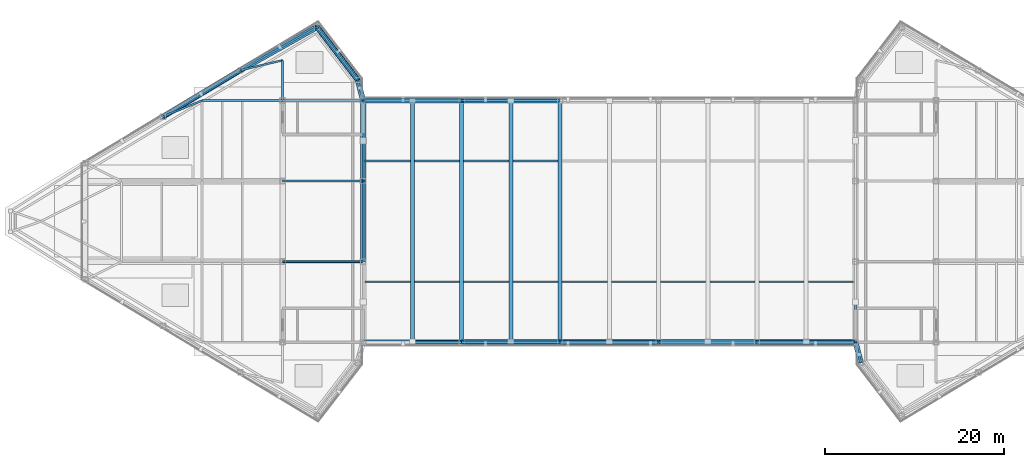
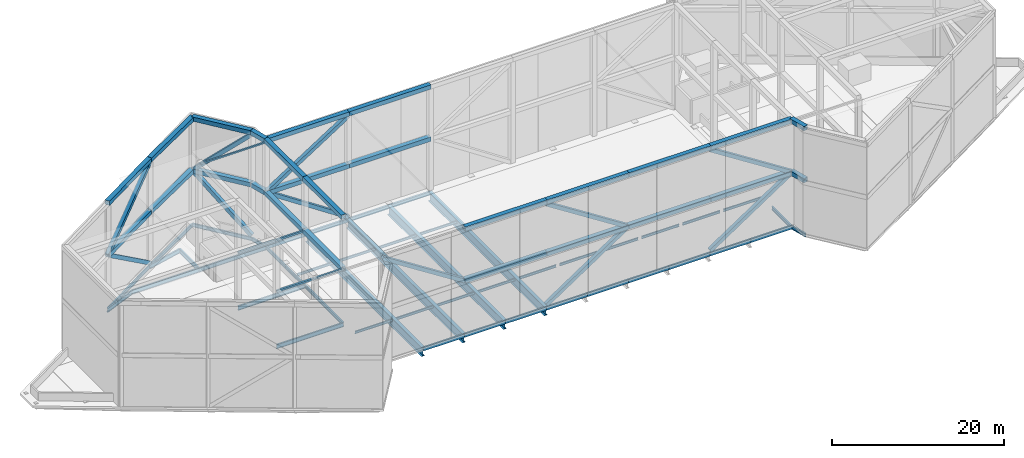
# One storey, part 4 of 16: 73 beams, 15 members.
"""IFC4 building model written with IfcOpenShell, lengths in metres."""

from ifc_helpers import new_model, si_unit, direction, frame, origin, origin_2d, place, context, subcontext, project, spatial, hollow_rectangle, i_section, extrude, source, transform, mapped, material, material_profile, profile_set, type_object, type_shapes, element, save


model = new_model("IFC4")

# Units and contexts
model_context = context("Model", 3, precision=1e-05, world=origin(), true_north=direction((0.0, 1.0)))
body_context = subcontext(model_context, "Body", "Model", "MODEL_VIEW")
ifc_project = project(units=[si_unit("LENGTHUNIT", "METRE"), si_unit("AREAUNIT", "SQUARE_METRE"), si_unit("VOLUMEUNIT", "CUBIC_METRE"), si_unit("PLANEANGLEUNIT", "RADIAN"), si_unit("MASSUNIT", "GRAM", prefix="KILO")], contexts=[model_context])

# Site, building, storey
site_placement = place(None, origin())
site = spatial("IfcSite", under=ifc_project, at=site_placement, CompositionType="ELEMENT")
building_placement = place(site_placement, origin())
building = spatial("IfcBuilding", under=site, at=building_placement, Name="Seokmaru Belvedere", CompositionType="ELEMENT")
storey_placement = place(building_placement, frame((0.0, 0.0, 279.0)))
storey = spatial("IfcBuildingStorey", under=building, at=storey_placement, Name="RF", CompositionType="ELEMENT", Elevation=279.0)

# Beams
ifc_material_1 = material(Name="Steel SM355 (355 MPa)", Category="steel")
ifc_material_profile_1 = material_profile(ifc_material_1, i_section(OverallWidth=0.199951171875, OverallDepth=0.5, WebThickness=0.010009765625, FlangeThickness=0.01611328125, at=origin_2d()), Name="H-500x200x10x16")
ifc_profile_set_1 = profile_set([ifc_material_profile_1], Name="Steel SM355 (355 MPa)")
beam_type_1 = type_object("IfcBeamType", Name="Perimeter Spandrel Beam H-500", PredefinedType="SPANDREL", material=ifc_profile_set_1)
shared_shape_1 = source(origin(), body_context, "Body", "SweptSolid", [
    extrude(i_section(OverallWidth=0.199951171875, OverallDepth=0.5, WebThickness=0.010009765625, FlangeThickness=0.01611328125, at=origin_2d()), origin(), (0.0, 0.0, 1.0), 4.5),
])
for number, where, z_axis, x_axis, name in (
    (1, (-27.5, 4.5, -0.530029296875), (0.0, 1.0, 0.0), (-1.0, 0.0, 0.0), "RF W Portal Spine Spandrel 4"),
    (2, (-27.5, 9.0, -0.530029296875), (0.0, 1.0, 0.0), (-1.0, 0.0, 0.0), "RF W Portal Spine Spandrel 5"),
    (3, (27.5, -13.5, -0.530029296875), (0.0, 1.0, 0.0), (-1.0, 0.0, 0.0), "RF E Portal Spine Spandrel 1"),
):
    element("IfcBeam", number, at=place(storey_placement, frame(where, z_axis=z_axis, x_axis=x_axis)), inside=storey, type_object=beam_type_1, Name=name, PredefinedType="SPANDREL", context=body_context, shape_type="MappedRepresentation", body=[
        mapped(shared_shape_1, transform((0.0, 0.0, 0.0), scale=1.0)),
    ])
shared_shape_2 = source(origin(), body_context, "Body", "SweptSolid", [
    extrude(i_section(OverallWidth=0.199951171875, OverallDepth=0.5, WebThickness=0.010009765625, FlangeThickness=0.01611328125, at=origin_2d()), origin(), (0.0, 0.0, 1.0), 9.0),
])
beam_1_placement = place(storey_placement, frame((-27.5, -4.5, -0.530029296875), z_axis=(0.0, 1.0, 0.0), x_axis=(-1.0, 0.0, 0.0)))
element("IfcBeam", 4, at=beam_1_placement, inside=storey, type_object=beam_type_1, Name="RF W Portal Spine Spandrel 3", PredefinedType="SPANDREL", context=body_context, shape_type="MappedRepresentation", body=[
    mapped(shared_shape_2, transform((0.0, 0.0, 0.0), scale=1.0)),
])
ifc_material_profile_2 = material_profile(ifc_material_1, i_section(OverallWidth=0.199951171875, OverallDepth=0.60009765625, WebThickness=0.010986328125, FlangeThickness=0.01708984375, at=origin_2d()), Name="H-600x200x11x17")
ifc_profile_set_2 = profile_set([ifc_material_profile_2], Name="Steel SM355 (355 MPa)")
beam_type_2 = type_object("IfcBeamType", Name="Primary Floor Girder H-600", PredefinedType="BEAM", material=ifc_profile_set_2)
shared_shape_3 = source(origin(), body_context, "Body", "SweptSolid", [
    extrude(i_section(OverallWidth=0.199951171875, OverallDepth=0.60009765625, WebThickness=0.010986328125, FlangeThickness=0.01708984375, at=origin_2d()), origin(), (0.0, 0.0, 1.0), 9.0),
])
for number, where, z_axis, x_axis, name in (
    (5, (-36.5, -4.5, -0.580078125), (1.0, 0.0, 0.0), (0.0, 1.0, 0.0), "RF W Core Tie Girder 2"),
    (6, (-36.5, 4.5, -0.580078125), (1.0, 0.0, 0.0), (0.0, 1.0, 0.0), "RF W Core Tie Girder 3"),
    (7, (-36.5, 13.5, -0.580078125), (1.0, 0.0, 0.0), (0.0, 1.0, 0.0), "RF W Core Tie Girder 4"),
    (8, (-45.5, 13.5, -0.580078125), (1.0, 0.0, 0.0), (0.0, 1.0, 0.0), "RF W Wing Primary Girder 4"),
):
    element("IfcBeam", number, at=place(storey_placement, frame(where, z_axis=z_axis, x_axis=x_axis)), inside=storey, type_object=beam_type_2, Name=name, PredefinedType="BEAM", context=body_context, shape_type="MappedRepresentation", body=[
        mapped(shared_shape_3, transform((0.0, 0.0, 0.0), scale=1.0)),
    ])
shared_shape_4 = source(origin(), body_context, "Body", "SweptSolid", [
    extrude(i_section(OverallWidth=0.199951171875, OverallDepth=0.60009765625, WebThickness=0.010986328125, FlangeThickness=0.01708984375, at=origin_2d()), origin(), (0.0, 0.0, 1.0), 4.5),
])
beam_2_placement = place(storey_placement, frame((-36.5, 13.5, -0.580078125), z_axis=(0.0, 1.0, 0.0), x_axis=(-1.0, 0.0, 0.0)))
element("IfcBeam", 9, at=beam_2_placement, inside=storey, type_object=beam_type_2, Name="RF W Core Shoulder Girder N", PredefinedType="BEAM", context=body_context, shape_type="MappedRepresentation", body=[
    mapped(shared_shape_4, transform((0.0, 0.0, 0.0), scale=1.0)),
])
shared_shape_5 = source(origin(), body_context, "Body", "SweptSolid", [
    extrude(i_section(OverallWidth=0.199951171875, OverallDepth=0.5, WebThickness=0.010009765625, FlangeThickness=0.01611328125, at=origin_2d()), origin(), (0.0, 0.0, 1.0), 9.842041015625),
])
beam_3_placement = place(storey_placement, frame((-32.649658203125, 21.71044921875, -0.530029296875), z_axis=(-0.871782151818, -0.489893743349, 0.0), x_axis=(0.489893743349, -0.871782151818, 0.0)))
element("IfcBeam", 10, at=beam_3_placement, inside=storey, type_object=beam_type_1, Name="RF W Faceted Flank Spandrel N-1", PredefinedType="SPANDREL", context=body_context, shape_type="MappedRepresentation", body=[
    mapped(shared_shape_5, transform((0.0, 0.0, 0.0), scale=1.0)),
])
shared_shape_6 = source(origin(), body_context, "Body", "SweptSolid", [
    extrude(i_section(OverallWidth=0.199951171875, OverallDepth=0.5, WebThickness=0.010009765625, FlangeThickness=0.01611328125, at=origin_2d()), origin(), (0.0, 0.0, 1.0), 10.087646484375),
])
beam_4_placement = place(storey_placement, frame((-41.229736328125, 16.888916015625, -0.530029296875), z_axis=(-0.857499332045, -0.514485078056, 0.0), x_axis=(0.514485078056, -0.857499332045, 0.0)))
element("IfcBeam", 11, at=beam_4_placement, inside=storey, type_object=beam_type_1, Name="RF W Faceted Flank Spandrel N-2", PredefinedType="SPANDREL", context=body_context, shape_type="MappedRepresentation", body=[
    mapped(shared_shape_6, transform((0.0, 0.0, 0.0), scale=1.0)),
])
shared_shape_7 = source(origin(), body_context, "Body", "SweptSolid", [
    extrude(i_section(OverallWidth=0.199951171875, OverallDepth=0.5, WebThickness=0.010009765625, FlangeThickness=0.01611328125, at=origin_2d()), origin(), (0.0, 0.0, 1.0), 7.4619140625),
])
beam_5_placement = place(storey_placement, frame((-32.649658203125, 21.71044921875, -0.530029296875), z_axis=(0.609702854945, -0.792630070507, 0.0), x_axis=(0.792630070507, 0.609702854945, 0.0)))
element("IfcBeam", 12, at=beam_5_placement, inside=storey, type_object=beam_type_1, Name="RF W Shoulder Chamfer Spandrel N", PredefinedType="SPANDREL", context=body_context, shape_type="MappedRepresentation", body=[
    mapped(shared_shape_7, transform((0.0, 0.0, 0.0), scale=1.0)),
])
shared_shape_8 = source(origin(), body_context, "Body", "SweptSolid", [
    extrude(i_section(OverallWidth=0.199951171875, OverallDepth=0.5, WebThickness=0.010009765625, FlangeThickness=0.01611328125, at=origin_2d()), origin(), (0.0, 0.0, 1.0), 2.373046875),
])
type_shapes(beam_type_1, [shared_shape_1, shared_shape_2, shared_shape_5, shared_shape_6, shared_shape_7, shared_shape_8])
for number, where, z_axis, x_axis, name in (
    (13, (-28.10009765625, 15.7958984375, -0.530029296875), (0.252882558842, -0.967496982648, 0.0), (0.967496982648, 0.252882558842, 0.0), "RF W Shoulder Spine Spandrel N"),
    (14, (28.10009765625, -15.7958984375, -0.530029296875), (-0.252882558842, 0.967496982648, 0.0), (-0.967496982648, -0.252882558842, 0.0), "RF E Shoulder Spine Spandrel S"),
):
    element("IfcBeam", number, at=place(storey_placement, frame(where, z_axis=z_axis, x_axis=x_axis)), inside=storey, type_object=beam_type_1, Name=name, PredefinedType="SPANDREL", context=body_context, shape_type="MappedRepresentation", body=[
        mapped(shared_shape_8, transform((0.0, 0.0, 0.0), scale=1.0)),
    ])
shared_shape_9 = source(origin(), body_context, "Body", "SweptSolid", [
    extrude(i_section(OverallWidth=0.199951171875, OverallDepth=0.60009765625, WebThickness=0.010986328125, FlangeThickness=0.01708984375, at=origin_2d()), origin(), (0.0, 0.0, 1.0), 4.8583984375),
])
beam_6_placement = place(storey_placement, frame((-41.229736328125, 16.888916015625, -0.580078125), z_axis=(0.97349948295, 0.228689214211, 0.0), x_axis=(-0.228689214211, 0.97349948295, 0.0)))
element("IfcBeam", 15, at=beam_6_placement, inside=storey, type_object=beam_type_2, Name="RF W Flank Radial Floor Girder N-1", PredefinedType="BEAM", context=body_context, shape_type="MappedRepresentation", body=[
    mapped(shared_shape_9, transform((0.0, 0.0, 0.0), scale=1.0)),
])
shared_shape_10 = source(origin(), body_context, "Body", "SweptSolid", [
    extrude(i_section(OverallWidth=0.199951171875, OverallDepth=0.60009765625, WebThickness=0.010986328125, FlangeThickness=0.01708984375, at=origin_2d()), origin(), (0.0, 0.0, 1.0), 4.73583984375),
])
type_shapes(beam_type_2, [shared_shape_3, shared_shape_4, shared_shape_9, shared_shape_10])
beam_7_placement = place(storey_placement, frame((-49.8798828125, 11.698974609375, -0.580078125), z_axis=(0.924860562953, 0.380306375301, 0.0), x_axis=(-0.380306375301, 0.924860562953, 0.0)))
element("IfcBeam", 16, at=beam_7_placement, inside=storey, type_object=beam_type_2, Name="RF W Flank Radial Floor Girder N-2", PredefinedType="BEAM", context=body_context, shape_type="MappedRepresentation", body=[
    mapped(shared_shape_10, transform((0.0, 0.0, 0.0), scale=1.0)),
])
ifc_material_profile_3 = material_profile(ifc_material_1, hollow_rectangle(XDim=0.25, YDim=0.5, WallThickness=0.013916015625, at=origin_2d()), Name="RHS-500x250x14")
ifc_profile_set_3 = profile_set([ifc_material_profile_3], Name="Steel SM355 (355 MPa)")
beam_type_3 = type_object("IfcBeamType", Name="Bridge Edge Spandrel RHS-500", PredefinedType="SPANDREL", material=ifc_profile_set_3)
shared_shape_11 = source(origin(), body_context, "Body", "SweptSolid", [
    extrude(hollow_rectangle(XDim=0.25, YDim=0.5, WallThickness=0.013916015625, at=origin_2d()), origin(), (0.0, 0.0, 1.0), 5.5),
])
type_shapes(beam_type_3, [shared_shape_11])
for number, where, z_axis, x_axis, name in (
    (17, (-22.0, -13.5, -0.530029296875), (1.0, 0.0, 0.0), (0.0, 1.0, 0.0), "RF Sky-Gate Bridge Edge Girder S-02"),
    (18, (-16.5, -13.5, -0.530029296875), (1.0, 0.0, 0.0), (0.0, 1.0, 0.0), "RF Sky-Gate Bridge Edge Girder S-03"),
    (19, (-11.0, -13.5, -0.530029296875), (1.0, 0.0, 0.0), (0.0, 1.0, 0.0), "RF Sky-Gate Bridge Edge Girder S-04"),
    (20, (-5.5, -13.5, -0.530029296875), (1.0, 0.0, 0.0), (0.0, 1.0, 0.0), "RF Sky-Gate Bridge Edge Girder S-05"),
    (21, (0.0, -13.5, -0.530029296875), (1.0, 0.0, 0.0), (0.0, 1.0, 0.0), "RF Sky-Gate Bridge Edge Girder S-06"),
    (22, (5.5, -13.5, -0.530029296875), (1.0, 0.0, 0.0), (0.0, 1.0, 0.0), "RF Sky-Gate Bridge Edge Girder S-07"),
    (23, (11.0, -13.5, -0.530029296875), (1.0, 0.0, 0.0), (0.0, 1.0, 0.0), "RF Sky-Gate Bridge Edge Girder S-08"),
    (24, (16.5, -13.5, -0.530029296875), (1.0, 0.0, 0.0), (0.0, 1.0, 0.0), "RF Sky-Gate Bridge Edge Girder S-09"),
    (25, (22.0, -13.5, -0.530029296875), (1.0, 0.0, 0.0), (0.0, 1.0, 0.0), "RF Sky-Gate Bridge Edge Girder S-10"),
    (26, (-27.5, 13.5, -0.530029296875), (1.0, 0.0, 0.0), (0.0, 1.0, 0.0), "RF Sky-Gate Bridge Edge Girder N-01"),
    (27, (-22.0, 13.5, -0.530029296875), (1.0, 0.0, 0.0), (0.0, 1.0, 0.0), "RF Sky-Gate Bridge Edge Girder N-02"),
    (28, (-16.5, 13.5, -0.530029296875), (1.0, 0.0, 0.0), (0.0, 1.0, 0.0), "RF Sky-Gate Bridge Edge Girder N-03"),
    (29, (-11.0, 13.5, -0.530029296875), (1.0, 0.0, 0.0), (0.0, 1.0, 0.0), "RF Sky-Gate Bridge Edge Girder N-04"),
):
    element("IfcBeam", number, at=place(storey_placement, frame(where, z_axis=z_axis, x_axis=x_axis)), inside=storey, type_object=beam_type_3, Name=name, PredefinedType="SPANDREL", context=body_context, shape_type="MappedRepresentation", body=[
        mapped(shared_shape_11, transform((0.0, 0.0, 0.0), scale=1.0)),
    ])
ifc_material_2 = material(Name="Steel HSA650 (650 MPa)", Category="steel")
ifc_material_profile_4 = material_profile(ifc_material_2, i_section(OverallWidth=0.449951171875, OverallDepth=1.300048828125, WebThickness=0.02197265625, FlangeThickness=0.0380859375, at=origin_2d()), Name="BH-1300x450x22x38")
ifc_profile_set_4 = profile_set([ifc_material_profile_4], Name="Steel HSA650 (650 MPa)")
beam_type_4 = type_object("IfcBeamType", Name="Observatory Long-Span Roof Girder BH-1300", PredefinedType="BEAM", material=ifc_profile_set_4)
shared_shape_12 = source(origin(), body_context, "Body", "SweptSolid", [
    extrude(i_section(OverallWidth=0.449951171875, OverallDepth=1.300048828125, WebThickness=0.02197265625, FlangeThickness=0.0380859375, at=origin_2d()), origin(), (0.0, 0.0, 1.0), 27.0),
])
type_shapes(beam_type_4, [shared_shape_12])
for number, where, z_axis, x_axis, name in (
    (30, (-22.0, -13.5, -0.929931640625), (0.0, 1.0, 0.0), (-1.0, 0.0, 0.0), "RF Sky-Gate Transverse Girder 01"),
    (31, (-16.5, -13.5, -0.929931640625), (0.0, 1.0, 0.0), (-1.0, 0.0, 0.0), "RF Sky-Gate Transverse Girder 02"),
    (32, (-11.0, -13.5, -0.929931640625), (0.0, 1.0, 0.0), (-1.0, 0.0, 0.0), "RF Sky-Gate Transverse Girder 03"),
    (33, (-5.5, -13.5, -0.929931640625), (0.0, 1.0, 0.0), (-1.0, 0.0, 0.0), "RF Sky-Gate Transverse Girder 04"),
):
    element("IfcBeam", number, at=place(storey_placement, frame(where, z_axis=z_axis, x_axis=x_axis)), inside=storey, type_object=beam_type_4, Name=name, PredefinedType="BEAM", context=body_context, shape_type="MappedRepresentation", body=[
        mapped(shared_shape_12, transform((0.0, 0.0, 0.0), scale=1.0)),
    ])
ifc_material_profile_5 = material_profile(ifc_material_1, i_section(OverallWidth=0.175048828125, OverallDepth=0.35009765625, WebThickness=0.007080078125, FlangeThickness=0.010986328125, at=origin_2d()), Name="H-350x175x7x11")
ifc_profile_set_5 = profile_set([ifc_material_profile_5], Name="Steel SM355 (355 MPa)")
beam_type_5 = type_object("IfcBeamType", Name="Secondary Floor Joist H-300", PredefinedType="JOIST", material=ifc_profile_set_5)
shared_shape_13 = source(origin(), body_context, "Body", "SweptSolid", [
    extrude(i_section(OverallWidth=0.175048828125, OverallDepth=0.35009765625, WebThickness=0.007080078125, FlangeThickness=0.010986328125, at=origin_2d()), origin(), (0.0, 0.0, 1.0), 5.0400390625),
])
type_shapes(beam_type_5, [shared_shape_13])
for number, where, z_axis, x_axis, name in (
    (34, (-27.27001953125, -6.75, -0.455078125), (1.0, 0.0, 0.0), (0.0, 1.0, 0.0), "RF Sky-Gate Secondary Joist S-01"),
    (35, (-21.77001953125, -6.75, -0.455078125), (1.0, 0.0, 0.0), (0.0, 1.0, 0.0), "RF Sky-Gate Secondary Joist S-02"),
    (36, (-16.27001953125, -6.75, -0.455078125), (1.0, 0.0, 0.0), (0.0, 1.0, 0.0), "RF Sky-Gate Secondary Joist S-03"),
    (37, (-10.77001953125, -6.75, -0.455078125), (1.0, 0.0, 0.0), (0.0, 1.0, 0.0), "RF Sky-Gate Secondary Joist S-04"),
    (38, (-5.27001953125, -6.75, -0.455078125), (1.0, 0.0, 0.0), (0.0, 1.0, 0.0), "RF Sky-Gate Secondary Joist S-05"),
    (39, (0.22998046875, -6.75, -0.455078125), (1.0, 0.0, 0.0), (0.0, 1.0, 0.0), "RF Sky-Gate Secondary Joist S-06"),
    (40, (5.72998046875, -6.75, -0.455078125), (1.0, 0.0, 0.0), (0.0, 1.0, 0.0), "RF Sky-Gate Secondary Joist S-07"),
    (41, (11.22998046875, -6.75, -0.455078125), (1.0, 0.0, 0.0), (0.0, 1.0, 0.0), "RF Sky-Gate Secondary Joist S-08"),
    (42, (16.72998046875, -6.75, -0.455078125), (1.0, 0.0, 0.0), (0.0, 1.0, 0.0), "RF Sky-Gate Secondary Joist S-09"),
    (43, (22.22998046875, -6.75, -0.455078125), (1.0, 0.0, 0.0), (0.0, 1.0, 0.0), "RF Sky-Gate Secondary Joist S-10"),
    (44, (-27.27001953125, 6.75, -0.455078125), (1.0, 0.0, 0.0), (0.0, 1.0, 0.0), "RF Sky-Gate Secondary Joist N-01"),
    (45, (-21.77001953125, 6.75, -0.455078125), (1.0, 0.0, 0.0), (0.0, 1.0, 0.0), "RF Sky-Gate Secondary Joist N-02"),
    (46, (-16.27001953125, 6.75, -0.455078125), (1.0, 0.0, 0.0), (0.0, 1.0, 0.0), "RF Sky-Gate Secondary Joist N-03"),
    (47, (-10.77001953125, 6.75, -0.455078125), (1.0, 0.0, 0.0), (0.0, 1.0, 0.0), "RF Sky-Gate Secondary Joist N-04"),
):
    element("IfcBeam", number, at=place(storey_placement, frame(where, z_axis=z_axis, x_axis=x_axis)), inside=storey, type_object=beam_type_5, Name=name, PredefinedType="JOIST", context=body_context, shape_type="MappedRepresentation", body=[
        mapped(shared_shape_13, transform((0.0, 0.0, 0.0), scale=1.0)),
    ])
ifc_material_profile_6 = material_profile(ifc_material_1, hollow_rectangle(XDim=0.60009765625, YDim=0.60009765625, WallThickness=0.02490234375, at=origin_2d()), Name="HSS-600x600x25")
ifc_profile_set_6 = profile_set([ifc_material_profile_6], Name="Steel SM355 (355 MPa)")
beam_type_6 = type_object("IfcBeamType", Name="Crown Structural Ring Beam CROWN FRAME 600x600", PredefinedType="USERDEFINED", material=ifc_profile_set_6)
shared_shape_14 = source(origin(), body_context, "Body", "SweptSolid", [
    extrude(hollow_rectangle(XDim=0.60009765625, YDim=0.60009765625, WallThickness=0.02490234375, at=origin_2d()), origin(), (0.0, 0.0, 1.0), 11.0),
])
for number, where, z_axis, x_axis, name in (
    (48, (-16.5, -13.5, 7.300048828125), (1.0, 0.0, 0.0), (0.0, 1.0, 0.0), "RF Crown Chamfered Ring Beam CROWN FRAME T1-02"),
    (49, (-5.5, -13.5, 7.300048828125), (1.0, 0.0, 0.0), (0.0, 1.0, 0.0), "RF Crown Chamfered Ring Beam CROWN FRAME T1-03"),
    (50, (5.5, -13.5, 7.300048828125), (1.0, 0.0, 0.0), (0.0, 1.0, 0.0), "RF Crown Chamfered Ring Beam CROWN FRAME T1-04"),
    (51, (16.5, -13.5, 7.300048828125), (1.0, 0.0, 0.0), (0.0, 1.0, 0.0), "RF Crown Chamfered Ring Beam CROWN FRAME T1-05"),
    (52, (-5.5, 13.5, 7.300048828125), (-1.0, 0.0, 0.0), (0.0, -1.0, 0.0), "RF Crown Chamfered Ring Beam CROWN FRAME T1-20"),
    (53, (-16.5, 13.5, 7.300048828125), (-1.0, 0.0, 0.0), (0.0, -1.0, 0.0), "RF Crown Chamfered Ring Beam CROWN FRAME T1-21"),
    (54, (-16.5, -13.5, 14.699951171875), (1.0, 0.0, 0.0), (0.0, 1.0, 0.0), "RF Crown Chamfered Ring Beam CROWN FRAME T2-02"),
    (55, (-5.5, -13.5, 14.699951171875), (1.0, 0.0, 0.0), (0.0, 1.0, 0.0), "RF Crown Chamfered Ring Beam CROWN FRAME T2-03"),
    (56, (5.5, -13.5, 14.699951171875), (1.0, 0.0, 0.0), (0.0, 1.0, 0.0), "RF Crown Chamfered Ring Beam CROWN FRAME T2-04"),
    (57, (16.5, -13.5, 14.699951171875), (1.0, 0.0, 0.0), (0.0, 1.0, 0.0), "RF Crown Chamfered Ring Beam CROWN FRAME T2-05"),
    (58, (-5.5, 13.5, 14.699951171875), (-1.0, 0.0, 0.0), (0.0, -1.0, 0.0), "RF Crown Chamfered Ring Beam CROWN FRAME T2-20"),
    (59, (-16.5, 13.5, 14.699951171875), (-1.0, 0.0, 0.0), (0.0, -1.0, 0.0), "RF Crown Chamfered Ring Beam CROWN FRAME T2-21"),
):
    element("IfcBeam", number, at=place(storey_placement, frame(where, z_axis=z_axis, x_axis=x_axis)), inside=storey, type_object=beam_type_6, Name=name, ObjectType="CROWN FRAME", PredefinedType="USERDEFINED", context=body_context, shape_type="MappedRepresentation", body=[
        mapped(shared_shape_14, transform((0.0, 0.0, 0.0), scale=1.0)),
    ])
shared_shape_15 = source(origin(), body_context, "Body", "SweptSolid", [
    extrude(hollow_rectangle(XDim=0.60009765625, YDim=0.60009765625, WallThickness=0.02490234375, at=origin_2d()), origin(), (0.0, 0.0, 1.0), 2.373046875),
])
for number, where, z_axis, x_axis, name in (
    (60, (27.5, -13.5, 7.300048828125), (0.252882558842, -0.967496982648, 0.0), (0.967496982648, 0.252882558842, 0.0), "RF Crown Chamfered Ring Beam CROWN FRAME T1-06"),
    (61, (-27.5, 13.5, 7.300048828125), (-0.252882558842, 0.967496982648, 0.0), (-0.967496982648, -0.252882558842, 0.0), "RF Crown Chamfered Ring Beam CROWN FRAME T1-22"),
    (62, (27.5, -13.5, 14.699951171875), (0.252882558842, -0.967496982648, 0.0), (0.967496982648, 0.252882558842, 0.0), "RF Crown Chamfered Ring Beam CROWN FRAME T2-06"),
    (63, (-27.5, 13.5, 14.699951171875), (-0.252882558842, 0.967496982648, 0.0), (-0.967496982648, -0.252882558842, 0.0), "RF Crown Chamfered Ring Beam CROWN FRAME T2-22"),
):
    element("IfcBeam", number, at=place(storey_placement, frame(where, z_axis=z_axis, x_axis=x_axis)), inside=storey, type_object=beam_type_6, Name=name, ObjectType="CROWN FRAME", PredefinedType="USERDEFINED", context=body_context, shape_type="MappedRepresentation", body=[
        mapped(shared_shape_15, transform((0.0, 0.0, 0.0), scale=1.0)),
    ])
shared_shape_16 = source(origin(), body_context, "Body", "SweptSolid", [
    extrude(hollow_rectangle(XDim=0.60009765625, YDim=0.60009765625, WallThickness=0.02490234375, at=origin_2d()), origin(), (0.0, 0.0, 1.0), 7.4619140625),
])
for number, where, z_axis, x_axis, name in (
    (64, (-28.10009765625, 15.7958984375, 7.300048828125), (-0.609702854945, 0.792630070507, 0.0), (-0.792630070507, -0.609702854945, 0.0), "RF Crown Chamfered Ring Beam CROWN FRAME T1-23"),
    (65, (-28.10009765625, 15.7958984375, 14.699951171875), (-0.609702854945, 0.792630070507, 0.0), (-0.792630070507, -0.609702854945, 0.0), "RF Crown Chamfered Ring Beam CROWN FRAME T2-23"),
):
    element("IfcBeam", number, at=place(storey_placement, frame(where, z_axis=z_axis, x_axis=x_axis)), inside=storey, type_object=beam_type_6, Name=name, ObjectType="CROWN FRAME", PredefinedType="USERDEFINED", context=body_context, shape_type="MappedRepresentation", body=[
        mapped(shared_shape_16, transform((0.0, 0.0, 0.0), scale=1.0)),
    ])
shared_shape_17 = source(origin(), body_context, "Body", "SweptSolid", [
    extrude(hollow_rectangle(XDim=0.60009765625, YDim=0.60009765625, WallThickness=0.02490234375, at=origin_2d()), origin(), (0.0, 0.0, 1.0), 9.842041015625),
])
for number, where, z_axis, x_axis, name in (
    (66, (-32.649658203125, 21.71044921875, 7.300048828125), (-0.871782151818, -0.489893743349, 0.0), (0.489893743349, -0.871782151818, 0.0), "RF Crown Chamfered Ring Beam CROWN FRAME T1-24"),
    (67, (-32.649658203125, 21.71044921875, 14.699951171875), (-0.871782151818, -0.489893743349, 0.0), (0.489893743349, -0.871782151818, 0.0), "RF Crown Chamfered Ring Beam CROWN FRAME T2-24"),
):
    element("IfcBeam", number, at=place(storey_placement, frame(where, z_axis=z_axis, x_axis=x_axis)), inside=storey, type_object=beam_type_6, Name=name, ObjectType="CROWN FRAME", PredefinedType="USERDEFINED", context=body_context, shape_type="MappedRepresentation", body=[
        mapped(shared_shape_17, transform((0.0, 0.0, 0.0), scale=1.0)),
    ])
shared_shape_18 = source(origin(), body_context, "Body", "SweptSolid", [
    extrude(hollow_rectangle(XDim=0.60009765625, YDim=0.60009765625, WallThickness=0.02490234375, at=origin_2d()), origin(), (0.0, 0.0, 1.0), 10.087646484375),
])
for number, where, z_axis, x_axis, name in (
    (68, (-41.229736328125, 16.888916015625, 7.300048828125), (-0.857499332045, -0.514485078056, 0.0), (0.514485078056, -0.857499332045, 0.0), "RF Crown Chamfered Ring Beam CROWN FRAME T1-25"),
    (69, (-41.229736328125, 16.888916015625, 14.699951171875), (-0.857499332045, -0.514485078056, 0.0), (0.514485078056, -0.857499332045, 0.0), "RF Crown Chamfered Ring Beam CROWN FRAME T2-25"),
):
    element("IfcBeam", number, at=place(storey_placement, frame(where, z_axis=z_axis, x_axis=x_axis)), inside=storey, type_object=beam_type_6, Name=name, ObjectType="CROWN FRAME", PredefinedType="USERDEFINED", context=body_context, shape_type="MappedRepresentation", body=[
        mapped(shared_shape_18, transform((0.0, 0.0, 0.0), scale=1.0)),
    ])
shared_shape_19 = source(origin(), body_context, "Body", "SweptSolid", [
    extrude(hollow_rectangle(XDim=0.60009765625, YDim=0.60009765625, WallThickness=0.02490234375, at=origin_2d()), origin(), (0.0, 0.0, 1.0), 9.0),
])
type_shapes(beam_type_6, [shared_shape_14, shared_shape_15, shared_shape_16, shared_shape_17, shared_shape_18, shared_shape_19])
for number, where, z_axis, x_axis, name in (
    (70, (-27.5, -4.5, 7.300048828125), (0.0, 1.0, 0.0), (-1.0, 0.0, 0.0), "RF Crown Cross Tie CROWN FRAME T1-W1-2"),
    (71, (-27.5, 4.5, 7.300048828125), (0.0, 1.0, 0.0), (-1.0, 0.0, 0.0), "RF Crown Cross Tie CROWN FRAME T1-W1-3"),
    (72, (-27.5, -4.5, 14.699951171875), (0.0, 1.0, 0.0), (-1.0, 0.0, 0.0), "RF Crown Cross Tie CROWN FRAME T2-W1-2"),
    (73, (-27.5, 4.5, 14.699951171875), (0.0, 1.0, 0.0), (-1.0, 0.0, 0.0), "RF Crown Cross Tie CROWN FRAME T2-W1-3"),
):
    element("IfcBeam", number, at=place(storey_placement, frame(where, z_axis=z_axis, x_axis=x_axis)), inside=storey, type_object=beam_type_6, Name=name, ObjectType="CROWN FRAME", PredefinedType="USERDEFINED", context=body_context, shape_type="MappedRepresentation", body=[
        mapped(shared_shape_19, transform((0.0, 0.0, 0.0), scale=1.0)),
    ])

# Members
ifc_material_profile_7 = material_profile(ifc_material_1, hollow_rectangle(XDim=0.5, YDim=0.5, WallThickness=0.02001953125, at=origin_2d()), Name="HSS-500x500x20")
ifc_profile_set_7 = profile_set([ifc_material_profile_7], Name="Steel SM355 (355 MPa)")
member_type_1 = type_object("IfcMemberType", Name="Crown Diagonal Wind Brace CROWN FRAME 500x500", PredefinedType="USERDEFINED", material=ifc_profile_set_7)
shared_shape_20 = source(origin(), body_context, "Body", "SweptSolid", [
    extrude(hollow_rectangle(XDim=0.5, YDim=0.5, WallThickness=0.02001953125, at=origin_2d()), origin(), (0.0, 0.0, 1.0), 13.201904296875),
])
for number, where, z_axis, x_axis, name in (
    (74, (-5.5, -13.5, 0.0), (0.83321208815, 0.0, 0.55295353888), (0.0, 1.0, 0.0), "RF Crown Diagonal Wind Brace CROWN FRAME L-02"),
    (75, (16.5, -13.5, 0.0), (0.83321208815, 0.0, 0.55295353888), (0.0, 1.0, 0.0), "RF Crown Diagonal Wind Brace CROWN FRAME L-03"),
    (76, (-16.5, 13.5, 0.0), (-0.83321208815, 0.0, 0.55295353888), (0.0, -1.0, 0.0), "RF Crown Diagonal Wind Brace CROWN FRAME L-11"),
):
    element("IfcMember", number, at=place(storey_placement, frame(where, z_axis=z_axis, x_axis=x_axis)), inside=storey, type_object=member_type_1, Name=name, ObjectType="CROWN FRAME", PredefinedType="USERDEFINED", context=body_context, shape_type="MappedRepresentation", body=[
        mapped(shared_shape_20, transform((0.0, 0.0, 0.0), scale=1.0)),
    ])
shared_shape_21 = source(origin(), body_context, "Body", "SweptSolid", [
    extrude(hollow_rectangle(XDim=0.5, YDim=0.5, WallThickness=0.02001953125, at=origin_2d()), origin(), (0.0, 0.0, 1.0), 13.0654296875),
])
for number, where, z_axis, x_axis, name in (
    (77, (-16.5, -13.5, 7.300048828125), (-0.841922020352, 0.0, 0.539599213905), (0.0, -1.0, 0.0), "RF Crown Diagonal Wind Brace CROWN FRAME U-01"),
    (78, (5.5, -13.5, 7.300048828125), (-0.841922020352, 0.0, 0.539599213905), (0.0, -1.0, 0.0), "RF Crown Diagonal Wind Brace CROWN FRAME U-02"),
    (79, (27.5, -13.5, 7.300048828125), (-0.841922020352, 0.0, 0.539599213905), (0.0, -1.0, 0.0), "RF Crown Diagonal Wind Brace CROWN FRAME U-03"),
    (80, (-27.5, 13.5, 7.300048828125), (0.841922020352, 0.0, 0.539599213905), (0.0, 1.0, 0.0), "RF Crown Diagonal Wind Brace CROWN FRAME U-11"),
):
    element("IfcMember", number, at=place(storey_placement, frame(where, z_axis=z_axis, x_axis=x_axis)), inside=storey, type_object=member_type_1, Name=name, ObjectType="CROWN FRAME", PredefinedType="USERDEFINED", context=body_context, shape_type="MappedRepresentation", body=[
        mapped(shared_shape_21, transform((0.0, 0.0, 0.0), scale=1.0)),
    ])
shared_shape_22 = source(origin(), body_context, "Body", "SweptSolid", [
    extrude(hollow_rectangle(XDim=0.5, YDim=0.5, WallThickness=0.02001953125, at=origin_2d()), origin(), (0.0, 0.0, 1.0), 10.43896484375),
])
member_1_placement = place(storey_placement, frame((-28.10009765625, 15.7958984375, 0.0), z_axis=(-0.435826598643, 0.566586272, 0.699310497774), x_axis=(-0.792630070507, -0.609702854945, 0.0)))
element("IfcMember", 81, at=member_1_placement, inside=storey, type_object=member_type_1, Name="RF Crown Diagonal Wind Brace CROWN FRAME L-12", ObjectType="CROWN FRAME", PredefinedType="USERDEFINED", context=body_context, shape_type="MappedRepresentation", body=[
    mapped(shared_shape_22, transform((0.0, 0.0, 0.0), scale=1.0)),
])
shared_shape_23 = source(origin(), body_context, "Body", "SweptSolid", [
    extrude(hollow_rectangle(XDim=0.5, YDim=0.5, WallThickness=0.02001953125, at=origin_2d()), origin(), (0.0, 0.0, 1.0), 10.265625),
])
member_2_placement = place(storey_placement, frame((-32.649658203125, 21.71044921875, 7.300048828125), z_axis=(0.443182836434, -0.576149578506, 0.686760974924), x_axis=(0.792630070507, 0.609702854945, 0.0)))
element("IfcMember", 82, at=member_2_placement, inside=storey, type_object=member_type_1, Name="RF Crown Diagonal Wind Brace CROWN FRAME U-12", ObjectType="CROWN FRAME", PredefinedType="USERDEFINED", context=body_context, shape_type="MappedRepresentation", body=[
    mapped(shared_shape_23, transform((0.0, 0.0, 0.0), scale=1.0)),
])
shared_shape_24 = source(origin(), body_context, "Body", "SweptSolid", [
    extrude(hollow_rectangle(XDim=0.5, YDim=0.5, WallThickness=0.02001953125, at=origin_2d()), origin(), (0.0, 0.0, 1.0), 12.451904296875),
])
member_3_placement = place(storey_placement, frame((-41.229736328125, 16.888916015625, 0.0), z_axis=(-0.694681673216, -0.416797239966, 0.586257139534), x_axis=(0.514485078056, -0.857499332045, 0.0)))
element("IfcMember", 83, at=member_3_placement, inside=storey, type_object=member_type_1, Name="RF Crown Diagonal Wind Brace CROWN FRAME L-13", ObjectType="CROWN FRAME", PredefinedType="USERDEFINED", context=body_context, shape_type="MappedRepresentation", body=[
    mapped(shared_shape_24, transform((0.0, 0.0, 0.0), scale=1.0)),
])
shared_shape_25 = source(origin(), body_context, "Body", "SweptSolid", [
    extrude(hollow_rectangle(XDim=0.5, YDim=0.5, WallThickness=0.02001953125, at=origin_2d()), origin(), (0.0, 0.0, 1.0), 12.30712890625),
])
type_shapes(member_type_1, [shared_shape_20, shared_shape_21, shared_shape_22, shared_shape_23, shared_shape_24, shared_shape_25])
member_4_placement = place(storey_placement, frame((-49.8798828125, 11.698974609375, 7.300048828125), z_axis=(0.702860537679, 0.42170442014, 0.572845918731), x_axis=(-0.514485078056, 0.857499332045, 0.0)))
element("IfcMember", 84, at=member_4_placement, inside=storey, type_object=member_type_1, Name="RF Crown Diagonal Wind Brace CROWN FRAME U-13", ObjectType="CROWN FRAME", PredefinedType="USERDEFINED", context=body_context, shape_type="MappedRepresentation", body=[
    mapped(shared_shape_25, transform((0.0, 0.0, 0.0), scale=1.0)),
])
ifc_material_profile_8 = material_profile(ifc_material_1, hollow_rectangle(XDim=0.25, YDim=0.25, WallThickness=0.010009765625, at=origin_2d()), Name="HSS-250x250x10")
ifc_profile_set_8 = profile_set([ifc_material_profile_8], Name="Steel SM355 (355 MPa)")
member_type_2 = type_object("IfcMemberType", Name="Crown Maintenance Walkway Strut HSS-250", PredefinedType="CHORD", material=ifc_profile_set_8)
shared_shape_26 = source(origin(), body_context, "Body", "SweptSolid", [
    extrude(hollow_rectangle(XDim=0.25, YDim=0.25, WallThickness=0.010009765625, at=origin_2d()), origin(), (0.0, 0.0, 1.0), 9.0),
])
for number, where, z_axis, x_axis, name in (
    (85, (-36.5, -4.5, 7.300048828125), (1.0, 0.0, 0.0), (0.0, 1.0, 0.0), "RF Crown Plant Walkway Strut 1"),
    (86, (-36.5, 4.5, 7.300048828125), (1.0, 0.0, 0.0), (0.0, 1.0, 0.0), "RF Crown Plant Walkway Strut 2"),
):
    element("IfcMember", number, at=place(storey_placement, frame(where, z_axis=z_axis, x_axis=x_axis)), inside=storey, type_object=member_type_2, Name=name, PredefinedType="CHORD", context=body_context, shape_type="MappedRepresentation", body=[
        mapped(shared_shape_26, transform((0.0, 0.0, 0.0), scale=1.0)),
    ])
shared_shape_27 = source(origin(), body_context, "Body", "SweptSolid", [
    extrude(hollow_rectangle(XDim=0.25, YDim=0.25, WallThickness=0.010009765625, at=origin_2d()), origin(), (0.0, 0.0, 1.0), 11.0),
])
type_shapes(member_type_2, [shared_shape_26, shared_shape_27])
member_5_placement = place(storey_placement, frame((-16.5, -13.5, 7.300048828125), z_axis=(1.0, 0.0, 0.0), x_axis=(0.0, 1.0, 0.0)))
element("IfcMember", 87, at=member_5_placement, inside=storey, type_object=member_type_2, Name="RF Crown Plant Walkway Strut 5", PredefinedType="CHORD", context=body_context, shape_type="MappedRepresentation", body=[
    mapped(shared_shape_27, transform((0.0, 0.0, 0.0), scale=1.0)),
])
ifc_material_profile_9 = material_profile(ifc_material_1, hollow_rectangle(XDim=0.199951171875, YDim=0.199951171875, WallThickness=0.008056640625, at=origin_2d()), Name="HSS-200x200x8")
ifc_profile_set_9 = profile_set([ifc_material_profile_9], Name="Steel SM355 (355 MPa)")
member_type_3 = type_object("IfcMemberType", Name="Crown Secondary Screen Tie HSS-200", PredefinedType="CHORD", material=ifc_profile_set_9)
shared_shape_28 = source(origin(), body_context, "Body", "SweptSolid", [
    extrude(hollow_rectangle(XDim=0.199951171875, YDim=0.199951171875, WallThickness=0.008056640625, at=origin_2d()), origin(), (0.0, 0.0, 1.0), 9.0),
])
type_shapes(member_type_3, [shared_shape_28])
member_6_placement = place(storey_placement, frame((-36.5, 13.5, 14.39990234375), z_axis=(1.0, 0.0, 0.0), x_axis=(0.0, 1.0, 0.0)))
element("IfcMember", 88, at=member_6_placement, inside=storey, type_object=member_type_3, Name="RF Crown Secondary Screen Tie 2", PredefinedType="CHORD", context=body_context, shape_type="MappedRepresentation", body=[
    mapped(shared_shape_28, transform((0.0, 0.0, 0.0), scale=1.0)),
])

save(model, "model.ifc")
